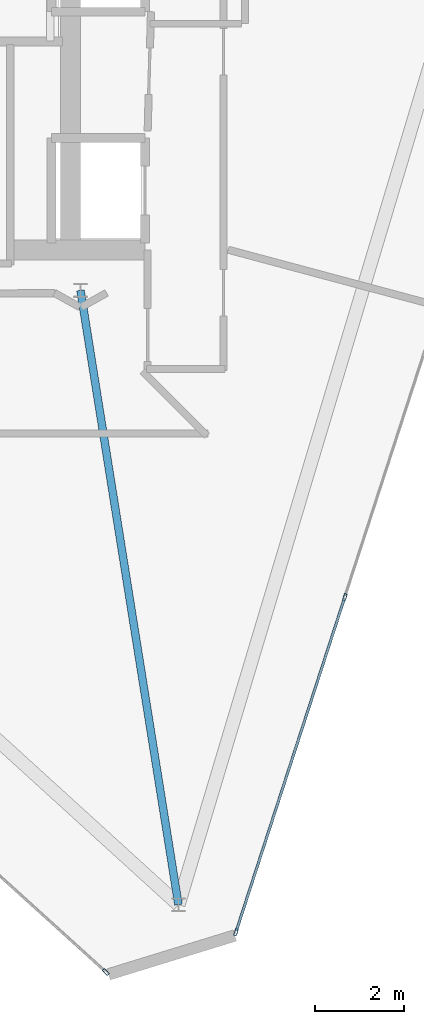
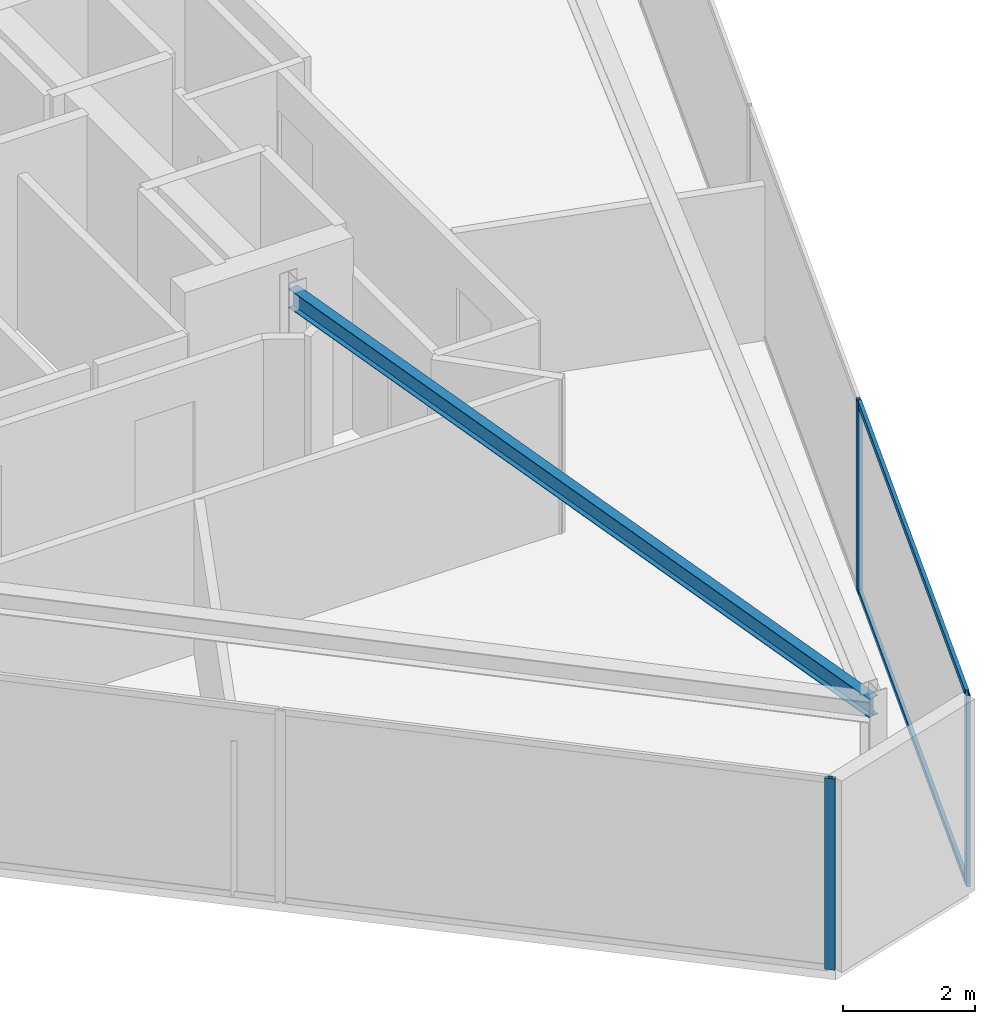
# One storey, part 5 of 14: 5 members, 1 beam, 2 elements without a shape of their own.
"""IFC4 building model written with IfcOpenShell, lengths in metres."""

from ifc_helpers import new_model, si_unit, direction, frame, origin, origin_2d, place, context, subcontext, project, spatial, hollow_rectangle, i_section, extrude, material, layer, layer_set, material_profile, profile_set, type_object, element, aggregate, save


model = new_model("IFC4")

# Units and contexts
model_context = context("Model", 3, precision=1e-05, world=origin(), true_north=direction((0.0, 1.0)))
body_context = subcontext(model_context, "Body", "Model", "MODEL_VIEW")
ifc_project = project(units=[si_unit("LENGTHUNIT", "METRE"), si_unit("AREAUNIT", "SQUARE_METRE"), si_unit("VOLUMEUNIT", "CUBIC_METRE"), si_unit("PLANEANGLEUNIT", "RADIAN"), si_unit("MASSUNIT", "GRAM", prefix="KILO")], contexts=[model_context])

# Site, building, storey
site_placement = place(None, origin())
site = spatial("IfcSite", under=ifc_project, at=site_placement, CompositionType="ELEMENT")
building_placement = place(site_placement, origin())
building = spatial("IfcBuilding", under=site, at=building_placement, Name="Qianvela Tower", CompositionType="ELEMENT")
storey_placement = place(building_placement, frame((0.0, 0.0, 371.300048828125)))
storey = spatial("IfcBuildingStorey", under=building, at=storey_placement, Name="L96", CompositionType="ELEMENT", Elevation=371.300048828125)

# Beam
ifc_material_1 = material(Name="Steel Q355B", Category="steel")
ifc_material_profile_1 = material_profile(ifc_material_1, i_section(OverallWidth=0.175048828125, OverallDepth=0.35009765625, WebThickness=0.007080078125, FlangeThickness=0.010986328125, at=origin_2d()), Name="HN350x175x7x11")
ifc_profile_set_1 = profile_set([ifc_material_profile_1], Name="Steel Q355B")
beam_type = type_object("IfcBeamType", Name="BM-HN350-JOIST", PredefinedType="JOIST", material=ifc_profile_set_1)
beam_placement = place(storey_placement, frame((38.39990234375, 23.85009765625, 3.373046875), z_axis=(0.157462605368, -0.987524950526, 0.0), x_axis=(0.987524950526, 0.157462605368, 0.0)))
element("IfcBeam", 1, at=beam_placement, inside=storey, type_object=beam_type, Name="L96 Crown Radial Floor Girder 2", PredefinedType="JOIST", context=body_context, shape_type="SweptSolid", body=[
    extrude(i_section(OverallWidth=0.175048828125, OverallDepth=0.35009765625, WebThickness=0.007080078125, FlangeThickness=0.010986328125, at=origin_2d()), origin(), (0.0, 0.0, 1.0), 13.99755859375),
])

# Curtain wall, member
ifc_material_2 = material(Name="Anodised Architectural Aluminium and Low-E Glass", Category="aluminium")
ifc_layer = layer(ifc_material_2, 0.159912109375)
ifc_layer_set = layer_set([ifc_layer], Name="Anodised Architectural Aluminium and Low-E Glass")
curtain_wall_type = type_object("IfcCurtainWallType", Name="CW-CROWN", PredefinedType="USERDEFINED", material=ifc_layer_set)
curtain_wall_1_placement = place(storey_placement, origin())
curtain_wall_1 = element("IfcCurtainWall", 2, at=curtain_wall_1_placement, inside=storey, type_object=curtain_wall_type, Name="L96 CW-CROWN Curtain Wall 04", ObjectType="CURTAIN_WALL_SYSTEM", PredefinedType="USERDEFINED")
ifc_material_3 = material(Name="Anodised Architectural Aluminium 6063-T6", Category="aluminium")
ifc_material_profile_2 = material_profile(ifc_material_3, hollow_rectangle(XDim=0.06494140625, YDim=0.159912109375, WallThickness=0.0048828125, at=origin_2d()), Name="ALU-MULL-65x160")
ifc_profile_set_2 = profile_set([ifc_material_profile_2], Name="Anodised Architectural Aluminium 6063-T6")
member_type_1 = type_object("IfcMemberType", Name="CW-CROWN-MULL", PredefinedType="MULLION", material=ifc_profile_set_2)
member_1_placement = place(storey_placement, frame((38.96923828125, 8.5126953125, 0.0), z_axis=(0.0, 0.0, 1.0), x_axis=(0.67120333428, 0.741273285672, 0.0)))
member_1 = element("IfcMember", 3, at=member_1_placement, type_object=member_type_1, Name="CW-8 mullion 4", PredefinedType="MULLION", context=body_context, shape_type="SweptSolid", body=[
    extrude(hollow_rectangle(XDim=0.06494140625, YDim=0.159912109375, WallThickness=0.0048828125, at=origin_2d()), origin(), (0.0, 0.0, 1.0), 3.550048828125),
])
aggregate(curtain_wall_1, [member_1])

# Curtain wall, members
curtain_wall_2_placement = place(storey_placement, origin())
curtain_wall_2 = element("IfcCurtainWall", 4, at=curtain_wall_2_placement, inside=storey, type_object=curtain_wall_type, Name="L96 CW-CROWN Curtain Wall 06", ObjectType="CURTAIN_WALL_SYSTEM", PredefinedType="USERDEFINED")
member_2_placement = place(storey_placement, frame((41.898193359375, 9.41064453125, 0.0), z_axis=(0.0, 0.0, 1.0), x_axis=(-0.951026796668, 0.309108447019, 0.0)))
member_2 = element("IfcMember", 5, at=member_2_placement, type_object=member_type_1, Name="CW-8 mullion 1", PredefinedType="MULLION", context=body_context, shape_type="SweptSolid", body=[
    extrude(hollow_rectangle(XDim=0.06494140625, YDim=0.159912109375, WallThickness=0.0048828125, at=origin_2d()), origin(), (0.0, 0.0, 1.0), 3.550048828125),
])
member_3_placement = place(storey_placement, frame((44.34814453125, 16.9482421875, 0.0), z_axis=(0.0, 0.0, 1.0), x_axis=(-0.951026796668, 0.309108447019, 0.0)))
member_3 = element("IfcMember", 6, at=member_3_placement, type_object=member_type_1, Name="CW-8 mullion 2", PredefinedType="MULLION", context=body_context, shape_type="SweptSolid", body=[
    extrude(hollow_rectangle(XDim=0.06494140625, YDim=0.159912109375, WallThickness=0.0048828125, at=origin_2d()), origin(), (0.0, 0.0, 1.0), 3.550048828125),
])
ifc_material_4 = material(Name="Anodised Architectural Aluminium 6063-T6", Category="aluminium")
ifc_material_profile_3 = material_profile(ifc_material_4, hollow_rectangle(XDim=0.06005859375, YDim=0.114990234375, WallThickness=0.00390625, at=origin_2d()), Name="ALU-TRAN-60x115")
ifc_profile_set_3 = profile_set([ifc_material_profile_3], Name="Anodised Architectural Aluminium 6063-T6")
member_type_2 = type_object("IfcMemberType", Name="CW-CROWN-TRAN", PredefinedType="USERDEFINED", material=ifc_profile_set_3)
member_4_placement = place(storey_placement, frame((41.908203125, 9.44140625, 0.030029296875), z_axis=(0.309109948707, 0.95102630858, 0.0), x_axis=(-0.95102630858, 0.309109948707, 0.0)))
member_4 = element("IfcMember", 7, at=member_4_placement, type_object=member_type_2, Name="CW-8 transom 1.1", ObjectType="TRANSOM", PredefinedType="USERDEFINED", context=body_context, shape_type="SweptSolid", body=[
    extrude(hollow_rectangle(XDim=0.06005859375, YDim=0.114990234375, WallThickness=0.00390625, at=origin_2d()), origin(), (0.0, 0.0, 1.0), 7.861083984375),
])
member_5_placement = place(storey_placement, frame((41.908203125, 9.44140625, 3.52001953125), z_axis=(0.309109948707, 0.95102630858, 0.0), x_axis=(-0.95102630858, 0.309109948707, 0.0)))
member_5 = element("IfcMember", 8, at=member_5_placement, type_object=member_type_2, Name="CW-8 transom 1.2", ObjectType="TRANSOM", PredefinedType="USERDEFINED", context=body_context, shape_type="SweptSolid", body=[
    extrude(hollow_rectangle(XDim=0.06005859375, YDim=0.114990234375, WallThickness=0.00390625, at=origin_2d()), origin(), (0.0, 0.0, 1.0), 7.861083984375),
])
aggregate(curtain_wall_2, [member_2, member_3, member_4, member_5])

save(model, "model.ifc")
